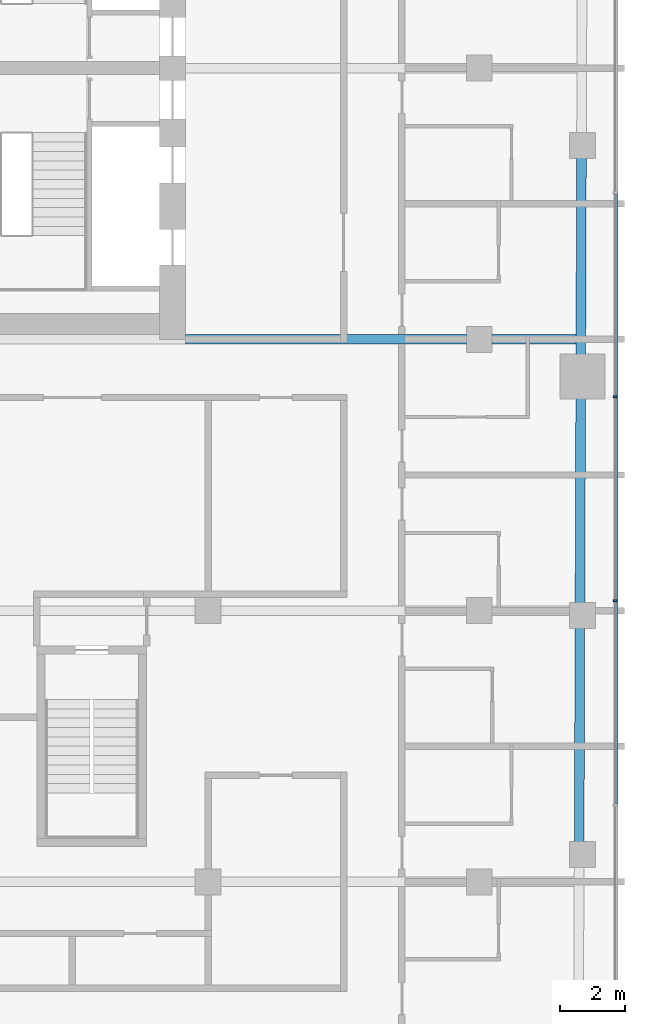
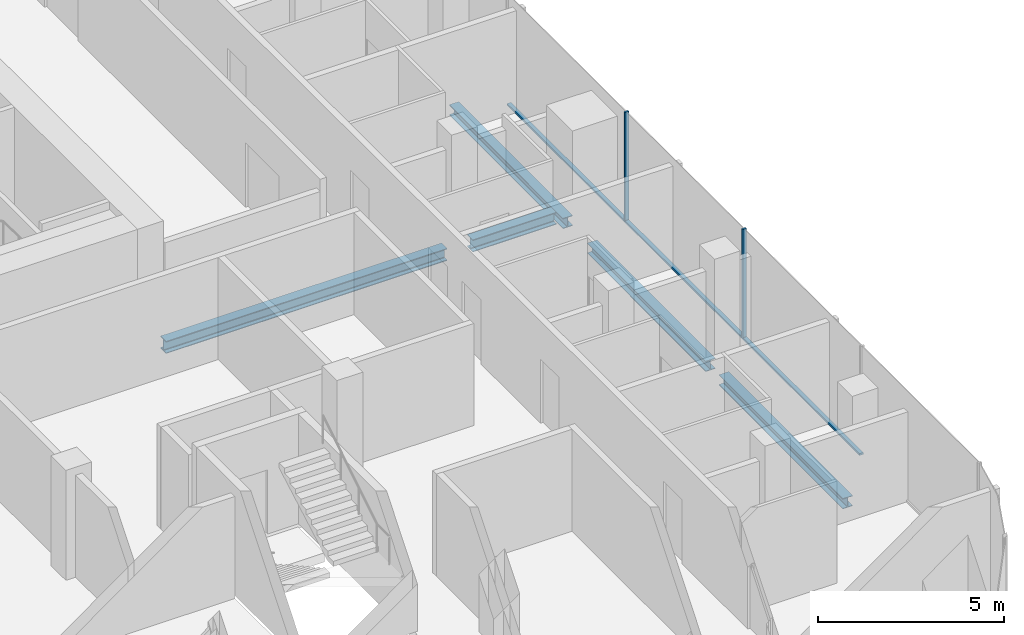
# One storey, part 7 of 22: 5 beams, 5 members, 1 element without a shape of its own.
"""IFC4 building model written with IfcOpenShell, lengths in metres."""

from ifc_helpers import new_model, si_unit, direction, frame, origin, origin_2d, place, context, subcontext, project, spatial, rectangle, i_section, extrude, material, layer, layer_set, material_profile, profile_set, type_object, element, aggregate, save


model = new_model("IFC4")

# Units and contexts
model_context = context("Model", 3, precision=1e-05, world=origin(), true_north=direction((0.0, 1.0)))
body_context = subcontext(model_context, "Body", "Model", "MODEL_VIEW")
ifc_project = project(units=[si_unit("LENGTHUNIT", "METRE"), si_unit("AREAUNIT", "SQUARE_METRE"), si_unit("VOLUMEUNIT", "CUBIC_METRE"), si_unit("PLANEANGLEUNIT", "RADIAN"), si_unit("MASSUNIT", "GRAM", prefix="KILO")], contexts=[model_context])

# Site, building, storey
site_placement = place(None, origin())
site = spatial("IfcSite", under=ifc_project, at=site_placement, CompositionType="ELEMENT")
building_placement = place(site_placement, origin())
building = spatial("IfcBuilding", under=site, at=building_placement, Name="Marenta Gate Hotel Tower", CompositionType="ELEMENT")
storey_placement = place(building_placement, frame((0.0, 0.0, 187.699951171875)))
storey = spatial("IfcBuildingStorey", under=building, at=storey_placement, Name="L42", CompositionType="ELEMENT", Elevation=187.699951171875)

# Beams
ifc_material_1 = material(Name="Steel S355", Category="steel")
ifc_material_profile_1 = material_profile(ifc_material_1, i_section(OverallWidth=0.300048828125, OverallDepth=0.340087890625, WebThickness=0.011962890625, FlangeThickness=0.021484375, FilletRadius=0.027099609375, at=origin_2d()), Name="HEB 340")
ifc_profile_set_1 = profile_set([ifc_material_profile_1], Name="Steel S355")
beam_type_1 = type_object("IfcBeamType", Name="Edge beam HEB 340", PredefinedType="SPANDREL", material=ifc_profile_set_1)
beam_1_placement = place(storey_placement, frame((24.164306640625, 5.643310546875, -0.429931640625), z_axis=(-0.003303859048, -0.999994542243, 0.0), x_axis=(0.999994542243, -0.003303859048, 0.0)))
element("IfcBeam", 1, at=beam_1_placement, inside=storey, type_object=beam_type_1, Name="L42-EB-24", PredefinedType="SPANDREL", context=body_context, shape_type="SweptSolid", body=[
    extrude(i_section(OverallWidth=0.300048828125, OverallDepth=0.340087890625, WebThickness=0.011962890625, FlangeThickness=0.021484375, FilletRadius=0.027099609375, at=origin_2d()), origin(), (0.0, 0.0, 1.0), 6.13330078125),
])
beam_2_placement = place(storey_placement, frame((24.1396484375, -1.81005859375, -0.429931640625), z_axis=(-0.003328723523, -0.999994459785, 0.0), x_axis=(0.999994459785, -0.003328723523, 0.0)))
element("IfcBeam", 2, at=beam_2_placement, inside=storey, type_object=beam_type_1, Name="L42-EB-25", PredefinedType="SPANDREL", context=body_context, shape_type="SweptSolid", body=[
    extrude(i_section(OverallWidth=0.300048828125, OverallDepth=0.340087890625, WebThickness=0.011962890625, FlangeThickness=0.021484375, FilletRadius=0.027099609375, at=origin_2d()), origin(), (0.0, 0.0, 1.0), 6.380859375),
])
beam_3_placement = place(storey_placement, frame((24.115966796875, -8.910888671875, -0.429931640625), z_axis=(-0.00332539729, -0.999994470851, 0.0), x_axis=(0.999994470851, -0.00332539729, 0.0)))
element("IfcBeam", 3, at=beam_3_placement, inside=storey, type_object=beam_type_1, Name="L42-EB-26", PredefinedType="SPANDREL", context=body_context, shape_type="SweptSolid", body=[
    extrude(i_section(OverallWidth=0.300048828125, OverallDepth=0.340087890625, WebThickness=0.011962890625, FlangeThickness=0.021484375, FilletRadius=0.027099609375, at=origin_2d()), origin(), (0.0, 0.0, 1.0), 6.680908203125),
])
ifc_material_2 = material(Name="Steel S355", Category="steel")
ifc_material_profile_2 = material_profile(ifc_material_2, i_section(OverallWidth=0.300048828125, OverallDepth=0.39990234375, WebThickness=0.013427734375, FlangeThickness=0.02392578125, FilletRadius=0.027099609375, at=origin_2d()), Name="HEB 400")
ifc_profile_set_2 = profile_set([ifc_material_profile_2], Name="Steel S355")
beam_type_2 = type_object("IfcBeamType", Name="Girder HEB 400", PredefinedType="BEAM", material=ifc_profile_set_2)
beam_4_placement = place(storey_placement, frame((11.89990234375, 0.0, -0.4599609375), z_axis=(1.0, 0.0, 0.0), x_axis=(0.0, 1.0, 0.0)))
element("IfcBeam", 4, at=beam_4_placement, inside=storey, type_object=beam_type_2, Name="L42-GD-23", PredefinedType="BEAM", context=body_context, shape_type="SweptSolid", body=[
    extrude(i_section(OverallWidth=0.300048828125, OverallDepth=0.39990234375, WebThickness=0.013427734375, FlangeThickness=0.02392578125, FilletRadius=0.027099609375, at=origin_2d()), origin(), (0.0, 0.0, 1.0), 8.7001953125),
])
beam_5_placement = place(storey_placement, frame((21.39990234375, 0.0, -0.4599609375), z_axis=(1.0, 0.0, 0.0), x_axis=(0.0, 1.0, 0.0)))
element("IfcBeam", 5, at=beam_5_placement, inside=storey, type_object=beam_type_2, Name="L42-GD-24", PredefinedType="BEAM", context=body_context, shape_type="SweptSolid", body=[
    extrude(i_section(OverallWidth=0.300048828125, OverallDepth=0.39990234375, WebThickness=0.013427734375, FlangeThickness=0.02392578125, FilletRadius=0.027099609375, at=origin_2d()), origin(), (0.0, 0.0, 1.0), 2.595703125),
])

# Curtain wall, members
ifc_material_3 = material(Name="Tinted insulated glass in bronze anodised frame", Category="glass")
ifc_layer = layer(ifc_material_3, 0.1201171875)
ifc_layer_set = layer_set([ifc_layer], Name="Tinted insulated glass in bronze anodised frame")
curtain_wall_type = type_object("IfcCurtainWallType", Name="Tower unitised curtain wall CW1", PredefinedType="NOTDEFINED", material=ifc_layer_set)
curtain_wall_placement = place(storey_placement, origin())
curtain_wall = element("IfcCurtainWall", 6, at=curtain_wall_placement, inside=storey, type_object=curtain_wall_type, Name="CW1 run G11", PredefinedType="NOTDEFINED")
ifc_material_4 = material(Name="Bronze anodised aluminium", Category="aluminium")
ifc_material_profile_3 = material_profile(ifc_material_4, rectangle(XDim=0.1201171875, YDim=0.06005859375, at=origin_2d()), Name="Mullion CW1 60x120 bronze anodised aluminium")
ifc_profile_set_3 = profile_set([ifc_material_profile_3], Name="Bronze anodised aluminium")
member_type_1 = type_object("IfcMemberType", Name="Mullion CW1 60x120 bronze anodised aluminium", PredefinedType="MULLION", material=ifc_profile_set_3)
member_1_placement = place(storey_placement, frame((25.214111328125, -8.0986328125, 0.0), z_axis=(0.0, 0.0, 1.0), x_axis=(-1.0, 0.0, 0.0)))
member_1 = element("IfcMember", 7, at=member_1_placement, type_object=member_type_1, Name="CW1 mullion 3", PredefinedType="MULLION", context=body_context, shape_type="SweptSolid", body=[
    extrude(rectangle(XDim=0.1201171875, YDim=0.06005859375, at=origin_2d()), origin(), (0.0, 0.0, 1.0), 3.60009765625),
])
member_2_placement = place(storey_placement, frame((25.214111328125, -1.77587890625, 0.0), z_axis=(0.0, 0.0, 1.0), x_axis=(-1.0, 0.0, 0.0)))
member_2 = element("IfcMember", 8, at=member_2_placement, type_object=member_type_1, Name="CW1 mullion 4", PredefinedType="MULLION", context=body_context, shape_type="SweptSolid", body=[
    extrude(rectangle(XDim=0.1201171875, YDim=0.06005859375, at=origin_2d()), origin(), (0.0, 0.0, 1.0), 3.60009765625),
])
ifc_material_5 = material(Name="Bronze anodised aluminium", Category="aluminium")
ifc_material_profile_4 = material_profile(ifc_material_5, rectangle(XDim=0.1201171875, YDim=0.06005859375, at=origin_2d()), Name="Transom CW1 60x120 bronze anodised aluminium")
ifc_profile_set_4 = profile_set([ifc_material_profile_4], Name="Bronze anodised aluminium")
member_type_2 = type_object("IfcMemberType", Name="Transom CW1 60x120 bronze anodised aluminium", PredefinedType="USERDEFINED", material=ifc_profile_set_4)
member_3_placement = place(storey_placement, frame((25.214111328125, -14.391357421875, 0.030029296875), z_axis=(0.0, 1.0, 0.0), x_axis=(-1.0, 0.0, 0.0)))
member_3 = element("IfcMember", 9, at=member_3_placement, type_object=member_type_2, Name="CW1 transom 2.1", ObjectType="TRANSOM", PredefinedType="USERDEFINED", context=body_context, shape_type="SweptSolid", body=[
    extrude(rectangle(XDim=0.1201171875, YDim=0.06005859375, at=origin_2d()), origin(), (0.0, 0.0, 1.0), 6.2626953125),
])
member_4_placement = place(storey_placement, frame((25.214111328125, -8.068603515625, 0.030029296875), z_axis=(0.0, 1.0, 0.0), x_axis=(-1.0, 0.0, 0.0)))
member_4 = element("IfcMember", 10, at=member_4_placement, type_object=member_type_2, Name="CW1 transom 3.1", ObjectType="TRANSOM", PredefinedType="USERDEFINED", context=body_context, shape_type="SweptSolid", body=[
    extrude(rectangle(XDim=0.1201171875, YDim=0.06005859375, at=origin_2d()), origin(), (0.0, 0.0, 1.0), 6.2626953125),
])
member_5_placement = place(storey_placement, frame((25.214111328125, -1.74609375, 0.030029296875), z_axis=(0.0, 1.0, 0.0), x_axis=(-1.0, 0.0, 0.0)))
member_5 = element("IfcMember", 11, at=member_5_placement, type_object=member_type_2, Name="CW1 transom 4.1", ObjectType="TRANSOM", PredefinedType="USERDEFINED", context=body_context, shape_type="SweptSolid", body=[
    extrude(rectangle(XDim=0.1201171875, YDim=0.06005859375, at=origin_2d()), origin(), (0.0, 0.0, 1.0), 6.2626953125),
])
aggregate(curtain_wall, [member_1, member_2, member_3, member_4, member_5])

save(model, "model.ifc")
